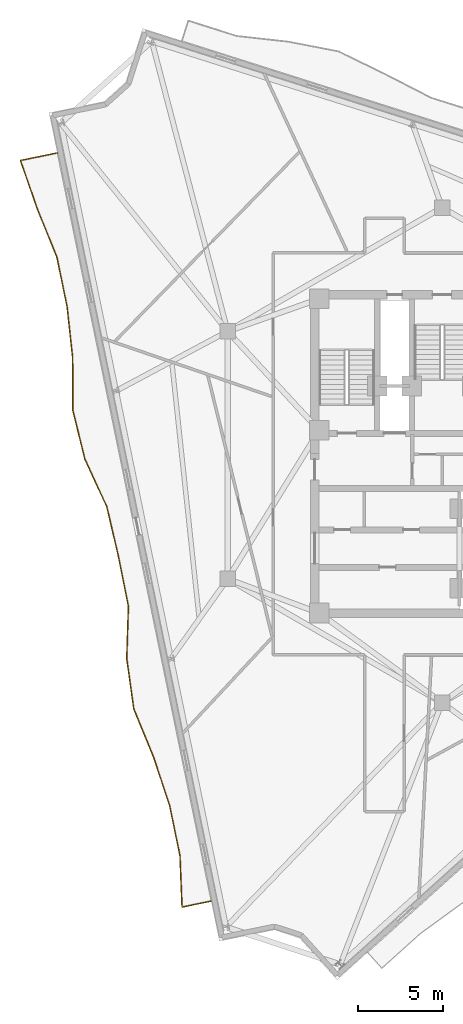
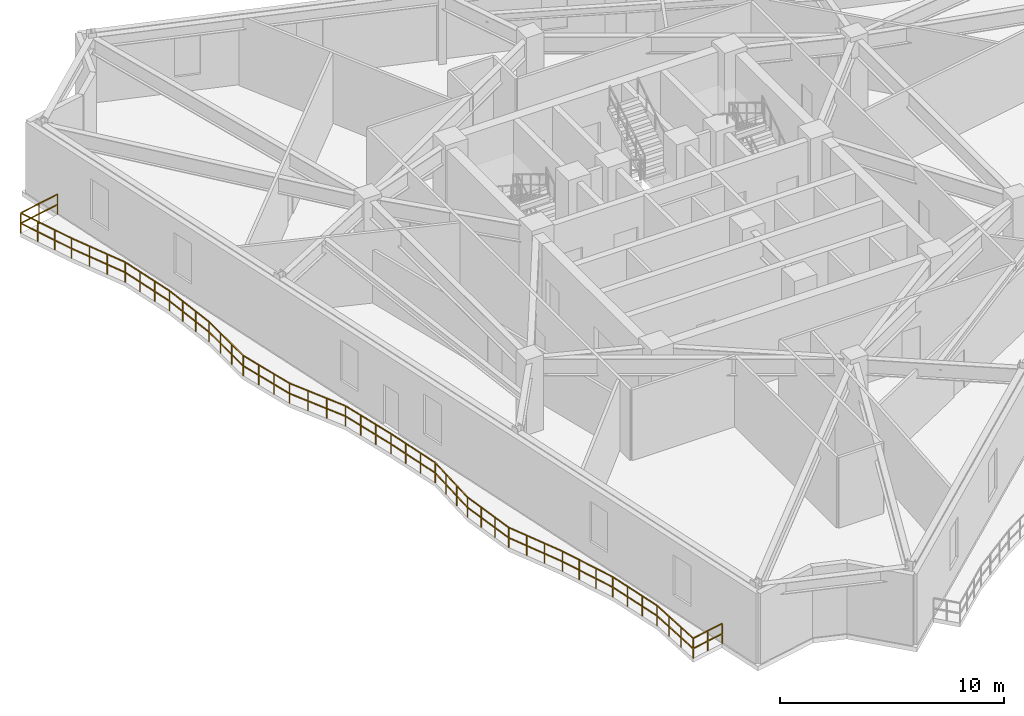
# One storey, part 9 of 12: 1 railing.
"""IFC4 building model written with IfcOpenShell, lengths in metres."""

from ifc_helpers import new_model, si_unit, direction, frame, origin, origin_2d, place, context, subcontext, project, spatial, rectangle, extrude, material, type_object, element, save


model = new_model("IFC4")

# Units and contexts
model_context = context("Model", 3, precision=1e-05, world=origin(), true_north=direction((0.0, 1.0)))
body_context = subcontext(model_context, "Body", "Model", "MODEL_VIEW")
ifc_project = project(units=[si_unit("LENGTHUNIT", "METRE"), si_unit("AREAUNIT", "SQUARE_METRE"), si_unit("VOLUMEUNIT", "CUBIC_METRE"), si_unit("PLANEANGLEUNIT", "RADIAN"), si_unit("MASSUNIT", "GRAM", prefix="KILO")], contexts=[model_context])

# Site, building, storey
site_placement = place(None, origin())
site = spatial("IfcSite", under=ifc_project, at=site_placement, CompositionType="ELEMENT")
building_placement = place(site_placement, origin())
building = spatial("IfcBuilding", under=site, at=building_placement, Name="Apsidion Concourse Tower", CompositionType="ELEMENT")
storey_placement = place(building_placement, frame((0.0, 0.0, 248.60009765625)))
storey = spatial("IfcBuildingStorey", under=building, at=storey_placement, Name="L58", CompositionType="ELEMENT", Elevation=248.60009765625)

# Railing
ifc_material = material(Name="Brushed stainless steel 316", Category="steel")
railing_type = type_object("IfcRailingType", Name="RL-BAL-1120", PredefinedType="BALUSTRADE", material=ifc_material)
railing_placement = place(storey_placement, frame((-13.5322265625, -26.12451171875, 0.0)))
element("IfcRailing", 1, at=railing_placement, inside=storey, type_object=railing_type, Name="L58 Face 1 Rippling Balcony Balustrade", PredefinedType="BALUSTRADE", context=body_context, shape_type="SweptSolid", body=[
    extrude(rectangle(XDim=0.048095703125, YDim=0.048095703125, at=origin_2d()), frame((0.0, 0.0, 1.09619140625), z_axis=(-0.979490495475, -0.201490370178, 0.0), x_axis=(0.201490370178, -0.979490495475, 0.0)), (0.0, 0.0, 1.0), 1.737548828125),
    extrude(rectangle(XDim=0.048095703125, YDim=0.048095703125, at=origin_2d()), frame((0.0, 0.0, 0.5361328125), z_axis=(-0.979490495475, -0.201490370178, 0.0), x_axis=(0.201490370178, -0.979490495475, 0.0)), (0.0, 0.0, 1.0), 1.737548828125),
    extrude(rectangle(XDim=0.048095703125, YDim=0.048095703125, at=origin_2d()), frame((-1.701904296875, -0.35009765625, 1.09619140625), z_axis=(-0.04087123666, 0.999164421912, 0.0), x_axis=(-0.999164421912, -0.04087123666, 0.0)), (0.0, 0.0, 1.0), 3.0224609375),
    extrude(rectangle(XDim=0.048095703125, YDim=0.048095703125, at=origin_2d()), frame((-1.701904296875, -0.35009765625, 0.5361328125), z_axis=(-0.04087123666, 0.999164421912, 0.0), x_axis=(-0.999164421912, -0.04087123666, 0.0)), (0.0, 0.0, 1.0), 3.0224609375),
    extrude(rectangle(XDim=0.048095703125, YDim=0.048095703125, at=origin_2d()), frame((-1.825439453125, 2.669921875, 1.09619140625), z_axis=(-0.201417367965, 0.979505509878, 0.0), x_axis=(-0.979505509878, -0.201417367965, 0.0)), (0.0, 0.0, 1.0), 2.98291015625),
    extrude(rectangle(XDim=0.048095703125, YDim=0.048095703125, at=origin_2d()), frame((-1.825439453125, 2.669921875, 0.5361328125), z_axis=(-0.201417367965, 0.979505509878, 0.0), x_axis=(-0.979505509878, -0.201417367965, 0.0)), (0.0, 0.0, 1.0), 2.98291015625),
    extrude(rectangle(XDim=0.048095703125, YDim=0.048095703125, at=origin_2d()), frame((-2.42626953125, 5.591796875, 1.09619140625), z_axis=(-0.314788785972, 0.949161746083, 0.0), x_axis=(-0.949161746083, -0.314788785972, 0.0)), (0.0, 0.0, 1.0), 3.003662109375),
    extrude(rectangle(XDim=0.048095703125, YDim=0.048095703125, at=origin_2d()), frame((-2.42626953125, 5.591796875, 0.5361328125), z_axis=(-0.314788785972, 0.949161746083, 0.0), x_axis=(-0.949161746083, -0.314788785972, 0.0)), (0.0, 0.0, 1.0), 3.003662109375),
    extrude(rectangle(XDim=0.048095703125, YDim=0.048095703125, at=origin_2d()), frame((-3.371826171875, 8.44287109375, 1.09619140625), z_axis=(-0.38026039092, 0.924879470578, 0.0), x_axis=(-0.924879470578, -0.38026039092, 0.0)), (0.0, 0.0, 1.0), 3.0361328125),
    extrude(rectangle(XDim=0.048095703125, YDim=0.048095703125, at=origin_2d()), frame((-3.371826171875, 8.44287109375, 0.5361328125), z_axis=(-0.38026039092, 0.924879470578, 0.0), x_axis=(-0.924879470578, -0.38026039092, 0.0)), (0.0, 0.0, 1.0), 3.0361328125),
    extrude(rectangle(XDim=0.048095703125, YDim=0.048095703125, at=origin_2d()), frame((-4.5263671875, 11.2509765625, 1.09619140625), z_axis=(-0.139019544953, 0.990289637491, 0.0), x_axis=(-0.990289637491, -0.139019544953, 0.0)), (0.0, 0.0, 1.0), 2.989013671875),
    extrude(rectangle(XDim=0.048095703125, YDim=0.048095703125, at=origin_2d()), frame((-4.5263671875, 11.2509765625, 0.5361328125), z_axis=(-0.139019544953, 0.990289637491, 0.0), x_axis=(-0.990289637491, -0.139019544953, 0.0)), (0.0, 0.0, 1.0), 2.989013671875),
    extrude(rectangle(XDim=0.048095703125, YDim=0.048095703125, at=origin_2d()), frame((-4.94189453125, 14.2109375, 1.09619140625), z_axis=(0.031605071499, 0.999500434945, 0.0), x_axis=(-0.999500434945, 0.031605071499, 0.0)), (0.0, 0.0, 1.0), 3.066650390625),
    extrude(rectangle(XDim=0.048095703125, YDim=0.048095703125, at=origin_2d()), frame((-4.94189453125, 14.2109375, 0.5361328125), z_axis=(0.031605071499, 0.999500434945, 0.0), x_axis=(-0.999500434945, 0.031605071499, 0.0)), (0.0, 0.0, 1.0), 3.066650390625),
    extrude(rectangle(XDim=0.048095703125, YDim=0.048095703125, at=origin_2d()), frame((-4.844970703125, 17.276123046875, 1.09619140625), z_axis=(-0.196257783189, 0.98055233544, 0.0), x_axis=(-0.98055233544, -0.196257783189, 0.0)), (0.0, 0.0, 1.0), 2.983154296875),
    extrude(rectangle(XDim=0.048095703125, YDim=0.048095703125, at=origin_2d()), frame((-4.844970703125, 17.276123046875, 0.5361328125), z_axis=(-0.196257783189, 0.98055233544, 0.0), x_axis=(-0.98055233544, -0.196257783189, 0.0)), (0.0, 0.0, 1.0), 2.983154296875),
    extrude(rectangle(XDim=0.048095703125, YDim=0.048095703125, at=origin_2d()), frame((-5.430419921875, 20.201171875, 1.09619140625), z_axis=(-0.227511498834, 0.973775393968, 0.0), x_axis=(-0.973775393968, -0.227511498834, 0.0)), (0.0, 0.0, 1.0), 2.984375),
    extrude(rectangle(XDim=0.048095703125, YDim=0.048095703125, at=origin_2d()), frame((-5.430419921875, 20.201171875, 0.5361328125), z_axis=(-0.227511498834, 0.973775393968, 0.0), x_axis=(-0.973775393968, -0.227511498834, 0.0)), (0.0, 0.0, 1.0), 2.984375),
    extrude(rectangle(XDim=0.048095703125, YDim=0.048095703125, at=origin_2d()), frame((-6.109375, 23.107177734375, 1.09619140625), z_axis=(-0.41933104967, 0.907833393736, 0.0), x_axis=(-0.907833393736, -0.41933104967, 0.0)), (0.0, 0.0, 1.0), 3.063720703125),
    extrude(rectangle(XDim=0.048095703125, YDim=0.048095703125, at=origin_2d()), frame((-6.109375, 23.107177734375, 0.5361328125), z_axis=(-0.41933104967, 0.907833393736, 0.0), x_axis=(-0.907833393736, -0.41933104967, 0.0)), (0.0, 0.0, 1.0), 3.063720703125),
    extrude(rectangle(XDim=0.048095703125, YDim=0.048095703125, at=origin_2d()), frame((-7.39404296875, 25.888427734375, 1.09619140625), z_axis=(-0.238742604259, 0.971082884676, 0.0), x_axis=(-0.971082884676, -0.238742604259, 0.0)), (0.0, 0.0, 1.0), 2.985107421875),
    extrude(rectangle(XDim=0.048095703125, YDim=0.048095703125, at=origin_2d()), frame((-7.39404296875, 25.888427734375, 0.5361328125), z_axis=(-0.238742604259, 0.971082884676, 0.0), x_axis=(-0.971082884676, -0.238742604259, 0.0)), (0.0, 0.0, 1.0), 2.985107421875),
    extrude(rectangle(XDim=0.048095703125, YDim=0.048095703125, at=origin_2d()), frame((-8.106689453125, 28.787109375, 1.09619140625), z_axis=(-0.001363161271, 0.999999070895, 0.0), x_axis=(-0.999999070895, -0.001363161271, 0.0)), (0.0, 0.0, 1.0), 3.044677734375),
    extrude(rectangle(XDim=0.048095703125, YDim=0.048095703125, at=origin_2d()), frame((-8.106689453125, 28.787109375, 0.5361328125), z_axis=(-0.001363161271, 0.999999070895, 0.0), x_axis=(-0.999999070895, -0.001363161271, 0.0)), (0.0, 0.0, 1.0), 3.044677734375),
    extrude(rectangle(XDim=0.048095703125, YDim=0.048095703125, at=origin_2d()), frame((-8.11083984375, 31.831787109375, 1.09619140625), z_axis=(-0.10812395352, 0.994137420418, 0.0), x_axis=(-0.994137420418, -0.10812395352, 0.0)), (0.0, 0.0, 1.0), 2.996337890625),
    extrude(rectangle(XDim=0.048095703125, YDim=0.048095703125, at=origin_2d()), frame((-8.11083984375, 31.831787109375, 0.5361328125), z_axis=(-0.10812395352, 0.994137420418, 0.0), x_axis=(-0.994137420418, -0.10812395352, 0.0)), (0.0, 0.0, 1.0), 2.996337890625),
    extrude(rectangle(XDim=0.048095703125, YDim=0.048095703125, at=origin_2d()), frame((-8.434814453125, 34.810546875, 1.09619140625), z_axis=(-0.201417367965, 0.979505509878, 0.0), x_axis=(-0.979505509878, -0.201417367965, 0.0)), (0.0, 0.0, 1.0), 2.98291015625),
    extrude(rectangle(XDim=0.048095703125, YDim=0.048095703125, at=origin_2d()), frame((-8.434814453125, 34.810546875, 0.5361328125), z_axis=(-0.201417367965, 0.979505509878, 0.0), x_axis=(-0.979505509878, -0.201417367965, 0.0)), (0.0, 0.0, 1.0), 2.98291015625),
    extrude(rectangle(XDim=0.048095703125, YDim=0.048095703125, at=origin_2d()), frame((-9.03564453125, 37.732421875, 1.09619140625), z_axis=(-0.376532456113, 0.926403426966, 0.0), x_axis=(-0.926403426966, -0.376532456113, 0.0)), (0.0, 0.0, 1.0), 3.033935546875),
    extrude(rectangle(XDim=0.048095703125, YDim=0.048095703125, at=origin_2d()), frame((-9.03564453125, 37.732421875, 0.5361328125), z_axis=(-0.376532456113, 0.926403426966, 0.0), x_axis=(-0.926403426966, -0.376532456113, 0.0)), (0.0, 0.0, 1.0), 3.033935546875),
    extrude(rectangle(XDim=0.048095703125, YDim=0.048095703125, at=origin_2d()), frame((-10.177978515625, 40.54296875, 1.09619140625), z_axis=(-0.328951647941, 0.944346765397, 0.0), x_axis=(-0.944346765397, -0.328951647941, 0.0)), (0.0, 0.0, 1.0), 3.009521484375),
    extrude(rectangle(XDim=0.048095703125, YDim=0.048095703125, at=origin_2d()), frame((-10.177978515625, 40.54296875, 0.5361328125), z_axis=(-0.328951647941, 0.944346765397, 0.0), x_axis=(-0.944346765397, -0.328951647941, 0.0)), (0.0, 0.0, 1.0), 3.009521484375),
    extrude(rectangle(XDim=0.048095703125, YDim=0.048095703125, at=origin_2d()), frame((-11.16796875, 43.385009765625, 1.09619140625), z_axis=(0.979503435212, 0.201427456935, 0.0), x_axis=(-0.201427456935, 0.979503435212, 0.0)), (0.0, 0.0, 1.0), 2.199951171875),
    extrude(rectangle(XDim=0.048095703125, YDim=0.048095703125, at=origin_2d()), frame((-11.16796875, 43.385009765625, 0.5361328125), z_axis=(0.979503435212, 0.201427456935, 0.0), x_axis=(-0.201427456935, 0.979503435212, 0.0)), (0.0, 0.0, 1.0), 2.199951171875),
    extrude(rectangle(XDim=0.0419921875, YDim=0.0419921875, at=origin_2d()), origin(), (0.0, 0.0, 1.0), 1.072021484375),
    extrude(rectangle(XDim=0.0419921875, YDim=0.0419921875, at=origin_2d()), frame((-0.85107421875, -0.175048828125, 0.0)), (0.0, 0.0, 1.0), 1.072021484375),
    extrude(rectangle(XDim=0.0419921875, YDim=0.0419921875, at=origin_2d()), frame((-1.701904296875, -0.35009765625, 0.0)), (0.0, 0.0, 1.0), 1.072021484375),
    extrude(rectangle(XDim=0.0419921875, YDim=0.0419921875, at=origin_2d()), frame((-1.7431640625, 0.656494140625, 0.0)), (0.0, 0.0, 1.0), 1.072021484375),
    extrude(rectangle(XDim=0.0419921875, YDim=0.0419921875, at=origin_2d()), frame((-1.7841796875, 1.663330078125, 0.0)), (0.0, 0.0, 1.0), 1.072021484375),
    extrude(rectangle(XDim=0.0419921875, YDim=0.0419921875, at=origin_2d()), frame((-1.825439453125, 2.669921875, 0.0)), (0.0, 0.0, 1.0), 1.072021484375),
    extrude(rectangle(XDim=0.0419921875, YDim=0.0419921875, at=origin_2d()), frame((-2.025634765625, 3.643798828125, 0.0)), (0.0, 0.0, 1.0), 1.072021484375),
    extrude(rectangle(XDim=0.0419921875, YDim=0.0419921875, at=origin_2d()), frame((-2.22607421875, 4.617919921875, 0.0)), (0.0, 0.0, 1.0), 1.072021484375),
    extrude(rectangle(XDim=0.0419921875, YDim=0.0419921875, at=origin_2d()), frame((-2.42626953125, 5.591796875, 0.0)), (0.0, 0.0, 1.0), 1.072021484375),
    extrude(rectangle(XDim=0.0419921875, YDim=0.0419921875, at=origin_2d()), frame((-2.741455078125, 6.542236328125, 0.0)), (0.0, 0.0, 1.0), 1.072021484375),
    extrude(rectangle(XDim=0.0419921875, YDim=0.0419921875, at=origin_2d()), frame((-3.056640625, 7.492431640625, 0.0)), (0.0, 0.0, 1.0), 1.072021484375),
    extrude(rectangle(XDim=0.0419921875, YDim=0.0419921875, at=origin_2d()), frame((-3.371826171875, 8.44287109375, 0.0)), (0.0, 0.0, 1.0), 1.072021484375),
    extrude(rectangle(XDim=0.0419921875, YDim=0.0419921875, at=origin_2d()), frame((-3.756591796875, 9.37890625, 0.0)), (0.0, 0.0, 1.0), 1.072021484375),
    extrude(rectangle(XDim=0.0419921875, YDim=0.0419921875, at=origin_2d()), frame((-4.1416015625, 10.31494140625, 0.0)), (0.0, 0.0, 1.0), 1.072021484375),
    extrude(rectangle(XDim=0.0419921875, YDim=0.0419921875, at=origin_2d()), frame((-4.5263671875, 11.2509765625, 0.0)), (0.0, 0.0, 1.0), 1.072021484375),
    extrude(rectangle(XDim=0.0419921875, YDim=0.0419921875, at=origin_2d()), frame((-4.664794921875, 12.237548828125, 0.0)), (0.0, 0.0, 1.0), 1.072021484375),
    extrude(rectangle(XDim=0.0419921875, YDim=0.0419921875, at=origin_2d()), frame((-4.803466796875, 13.224365234375, 0.0)), (0.0, 0.0, 1.0), 1.072021484375),
    extrude(rectangle(XDim=0.0419921875, YDim=0.0419921875, at=origin_2d()), frame((-4.94189453125, 14.2109375, 0.0)), (0.0, 0.0, 1.0), 1.072021484375),
    extrude(rectangle(XDim=0.0419921875, YDim=0.0419921875, at=origin_2d()), frame((-4.90966796875, 15.232666015625, 0.0)), (0.0, 0.0, 1.0), 1.072021484375),
    extrude(rectangle(XDim=0.0419921875, YDim=0.0419921875, at=origin_2d()), frame((-4.877197265625, 16.25439453125, 0.0)), (0.0, 0.0, 1.0), 1.072021484375),
    extrude(rectangle(XDim=0.0419921875, YDim=0.0419921875, at=origin_2d()), frame((-4.844970703125, 17.276123046875, 0.0)), (0.0, 0.0, 1.0), 1.072021484375),
    extrude(rectangle(XDim=0.0419921875, YDim=0.0419921875, at=origin_2d()), frame((-5.0400390625, 18.251220703125, 0.0)), (0.0, 0.0, 1.0), 1.072021484375),
    extrude(rectangle(XDim=0.0419921875, YDim=0.0419921875, at=origin_2d()), frame((-5.2353515625, 19.22607421875, 0.0)), (0.0, 0.0, 1.0), 1.072021484375),
    extrude(rectangle(XDim=0.0419921875, YDim=0.0419921875, at=origin_2d()), frame((-5.430419921875, 20.201171875, 0.0)), (0.0, 0.0, 1.0), 1.072021484375),
    extrude(rectangle(XDim=0.0419921875, YDim=0.0419921875, at=origin_2d()), frame((-5.65673828125, 21.169921875, 0.0)), (0.0, 0.0, 1.0), 1.072021484375),
    extrude(rectangle(XDim=0.0419921875, YDim=0.0419921875, at=origin_2d()), frame((-5.883056640625, 22.138427734375, 0.0)), (0.0, 0.0, 1.0), 1.072021484375),
    extrude(rectangle(XDim=0.0419921875, YDim=0.0419921875, at=origin_2d()), frame((-6.109375, 23.107177734375, 0.0)), (0.0, 0.0, 1.0), 1.072021484375),
    extrude(rectangle(XDim=0.0419921875, YDim=0.0419921875, at=origin_2d()), frame((-6.53759765625, 24.0341796875, 0.0)), (0.0, 0.0, 1.0), 1.072021484375),
    extrude(rectangle(XDim=0.0419921875, YDim=0.0419921875, at=origin_2d()), frame((-6.9658203125, 24.96142578125, 0.0)), (0.0, 0.0, 1.0), 1.072021484375),
    extrude(rectangle(XDim=0.0419921875, YDim=0.0419921875, at=origin_2d()), frame((-7.39404296875, 25.888427734375, 0.0)), (0.0, 0.0, 1.0), 1.072021484375),
    extrude(rectangle(XDim=0.0419921875, YDim=0.0419921875, at=origin_2d()), frame((-7.631591796875, 26.854736328125, 0.0)), (0.0, 0.0, 1.0), 1.072021484375),
    extrude(rectangle(XDim=0.0419921875, YDim=0.0419921875, at=origin_2d()), frame((-7.869140625, 27.82080078125, 0.0)), (0.0, 0.0, 1.0), 1.072021484375),
    extrude(rectangle(XDim=0.0419921875, YDim=0.0419921875, at=origin_2d()), frame((-8.106689453125, 28.787109375, 0.0)), (0.0, 0.0, 1.0), 1.072021484375),
    extrude(rectangle(XDim=0.0419921875, YDim=0.0419921875, at=origin_2d()), frame((-8.108154296875, 29.802001953125, 0.0)), (0.0, 0.0, 1.0), 1.072021484375),
    extrude(rectangle(XDim=0.0419921875, YDim=0.0419921875, at=origin_2d()), frame((-8.109375, 30.81689453125, 0.0)), (0.0, 0.0, 1.0), 1.072021484375),
    extrude(rectangle(XDim=0.0419921875, YDim=0.0419921875, at=origin_2d()), frame((-8.11083984375, 31.831787109375, 0.0)), (0.0, 0.0, 1.0), 1.072021484375),
    extrude(rectangle(XDim=0.0419921875, YDim=0.0419921875, at=origin_2d()), frame((-8.21875, 32.82470703125, 0.0)), (0.0, 0.0, 1.0), 1.072021484375),
    extrude(rectangle(XDim=0.0419921875, YDim=0.0419921875, at=origin_2d()), frame((-8.326904296875, 33.817626953125, 0.0)), (0.0, 0.0, 1.0), 1.072021484375),
    extrude(rectangle(XDim=0.0419921875, YDim=0.0419921875, at=origin_2d()), frame((-8.434814453125, 34.810546875, 0.0)), (0.0, 0.0, 1.0), 1.072021484375),
    extrude(rectangle(XDim=0.0419921875, YDim=0.0419921875, at=origin_2d()), frame((-8.635009765625, 35.784423828125, 0.0)), (0.0, 0.0, 1.0), 1.072021484375),
    extrude(rectangle(XDim=0.0419921875, YDim=0.0419921875, at=origin_2d()), frame((-8.83544921875, 36.758544921875, 0.0)), (0.0, 0.0, 1.0), 1.072021484375),
    extrude(rectangle(XDim=0.0419921875, YDim=0.0419921875, at=origin_2d()), frame((-9.03564453125, 37.732421875, 0.0)), (0.0, 0.0, 1.0), 1.072021484375),
    extrude(rectangle(XDim=0.0419921875, YDim=0.0419921875, at=origin_2d()), frame((-9.41650390625, 38.669189453125, 0.0)), (0.0, 0.0, 1.0), 1.072021484375),
    extrude(rectangle(XDim=0.0419921875, YDim=0.0419921875, at=origin_2d()), frame((-9.797119140625, 39.606201171875, 0.0)), (0.0, 0.0, 1.0), 1.072021484375),
    extrude(rectangle(XDim=0.0419921875, YDim=0.0419921875, at=origin_2d()), frame((-10.177978515625, 40.54296875, 0.0)), (0.0, 0.0, 1.0), 1.072021484375),
    extrude(rectangle(XDim=0.0419921875, YDim=0.0419921875, at=origin_2d()), frame((-10.508056640625, 41.490234375, 0.0)), (0.0, 0.0, 1.0), 1.072021484375),
    extrude(rectangle(XDim=0.0419921875, YDim=0.0419921875, at=origin_2d()), frame((-10.837890625, 42.437744140625, 0.0)), (0.0, 0.0, 1.0), 1.072021484375),
    extrude(rectangle(XDim=0.0419921875, YDim=0.0419921875, at=origin_2d()), frame((-11.16796875, 43.385009765625, 0.0)), (0.0, 0.0, 1.0), 1.072021484375),
    extrude(rectangle(XDim=0.0419921875, YDim=0.0419921875, at=origin_2d()), frame((-10.090576171875, 43.6064453125, 0.0)), (0.0, 0.0, 1.0), 1.072021484375),
    extrude(rectangle(XDim=0.0419921875, YDim=0.0419921875, at=origin_2d()), frame((-9.01318359375, 43.828125, 0.0)), (0.0, 0.0, 1.0), 1.072021484375),
])

save(model, "model.ifc")
